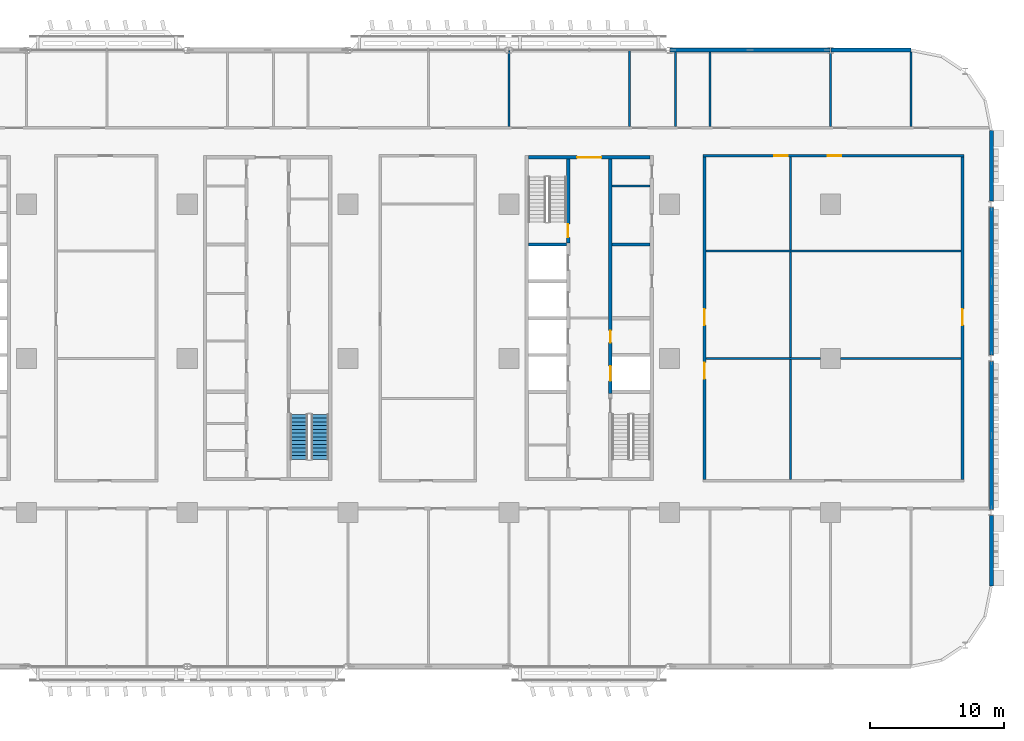
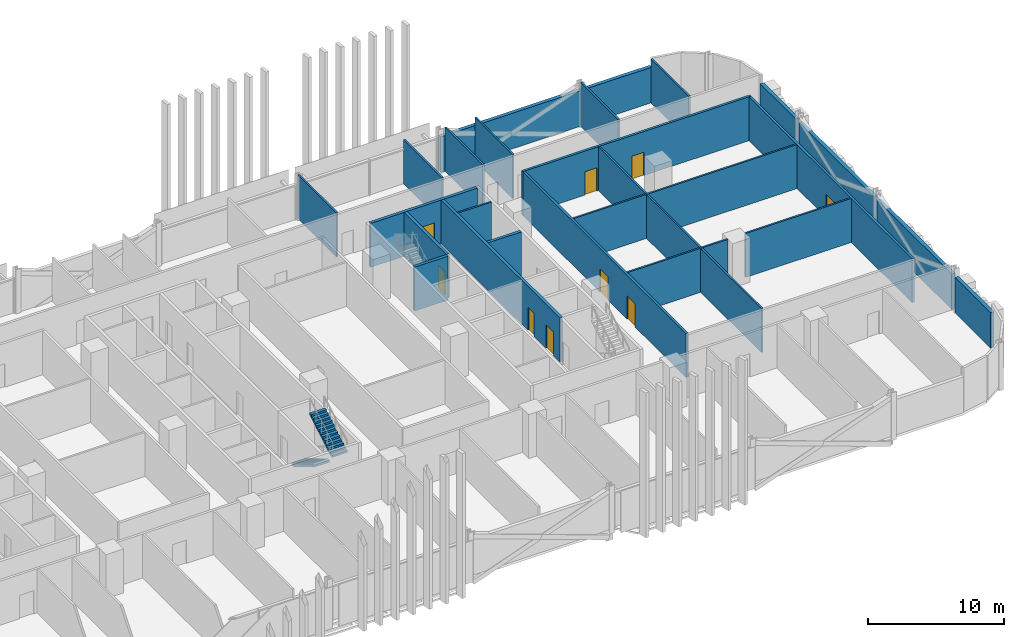
# One storey, part 15 of 29: 25 walls, 9 doors, 2 stair flights, 9 openings, 1 element without a shape of its own.
"""IFC4 building model written with IfcOpenShell, lengths in metres."""

from ifc_helpers import new_model, si_unit, direction, frame, frame_2d, origin, place, context, subcontext, project, spatial, polyline, rectangle, outline, extrude, material, layer, layer_set, type_object, element, fill, aggregate, save


model = new_model("IFC4")

# Units and contexts
model_context = context("Model", 3, precision=1e-05, world=origin(), true_north=direction((0.0, 1.0)))
body_context = subcontext(model_context, "Body", "Model", "MODEL_VIEW")
ifc_project = project(units=[si_unit("LENGTHUNIT", "METRE"), si_unit("AREAUNIT", "SQUARE_METRE"), si_unit("VOLUMEUNIT", "CUBIC_METRE"), si_unit("PLANEANGLEUNIT", "RADIAN"), si_unit("MASSUNIT", "GRAM", prefix="KILO")], contexts=[model_context])

# Site, building, storey
site_placement = place(None, origin())
site = spatial("IfcSite", under=ifc_project, at=site_placement, CompositionType="ELEMENT")
building_placement = place(site_placement, origin())
building = spatial("IfcBuilding", under=site, at=building_placement, Name="Mahtab Terrace Research Tower", CompositionType="ELEMENT")
storey_placement = place(building_placement, frame((0.0, 0.0, 46.0)))
storey = spatial("IfcBuildingStorey", under=building, at=storey_placement, Name="L10", CompositionType="ELEMENT", Elevation=46.0)

# Wall
ifc_material_1 = material(Name="Gypsum board partition")
ifc_layer_1 = layer(ifc_material_1, 0.14990234375)
ifc_layer_set_1 = layer_set([ifc_layer_1], Name="Core partition 150")
wall_type_1 = type_object("IfcWallType", Name="Core partition 150", PredefinedType="PARTITIONING", material=ifc_layer_set_1)
wall_1_placement = place(storey_placement, frame((25.699951171875, 12.875, 0.0), z_axis=(0.0, 0.0, 1.0), x_axis=(1.0, 0.0, 0.0)))
element("IfcWall", 1, at=wall_1_placement, inside=storey, type_object=wall_type_1, Name="Core wall C pEN988", PredefinedType="PARTITIONING", context=body_context, shape_type="SweptSolid", body=[
    extrude(rectangle(XDim=2.85009765625, YDim=0.14990234375, at=frame_2d((1.425048828125, 0.0))), origin(), (0.0, 0.0, 1.0), 3.9599609375),
])

# Wall, opening, door
ifc_material_2 = material(Name="Concrete C70/85", Category="concrete")
ifc_layer_2 = layer(ifc_material_2, 0.25)
ifc_layer_set_2 = layer_set([ifc_layer_2], Name="Core wall 250")
wall_type_2 = type_object("IfcWallType", Name="Core wall 250", PredefinedType="SOLIDWALL", material=ifc_layer_set_2)
wall_2_placement = place(storey_placement, frame((19.449951171875, 15.0, 0.0), z_axis=(0.0, 0.0, 1.0), x_axis=(1.0, 0.0, 0.0)))
wall_2 = element("IfcWall", 2, at=wall_2_placement, inside=storey, type_object=wall_type_2, Name="Core wall C endN", PredefinedType="SOLIDWALL", context=body_context, shape_type="SweptSolid", body=[
    extrude(rectangle(XDim=9.10009765625, YDim=0.25, at=frame_2d((4.550048828125, 0.0))), origin(), (0.0, 0.0, 1.0), 3.9599609375),
])
opening_1_placement = place(wall_2_placement, frame((3.64990234375, 0.0, 0.0)))
opening_1 = element("IfcOpeningElement", 3, at=opening_1_placement, cuts=wall_2, Name="Opening C-N1", PredefinedType="OPENING", context=body_context, shape_type="SweptSolid", body=[
    extrude(rectangle(XDim=1.800048828125, YDim=2.10009765625, at=frame_2d((0.89990234375, 1.050048828125))), frame((0.0, 0.135009765625, 0.0), z_axis=(0.0, -1.0, 0.0), x_axis=(1.0, 0.0, 0.0)), (0.0, 0.0, 1.0), 0.27001953125),
])
ifc_material_3 = material(Name="Steel fire door", Category="steel")
door_type_1 = type_object("IfcDoorType", Name="Lobby double door 1800x2100 1 HR", OperationType="DOUBLE_DOOR_SINGLE_SWING", PredefinedType="DOOR", material=ifc_material_3)
door_1_placement = place(opening_1_placement, origin())
door_1 = element("IfcDoor", 4, at=door_1_placement, inside=storey, type_object=door_type_1, Name="Core entrance door C N", OperationType="DOUBLE_DOOR_SINGLE_SWING", OverallHeight=2.10009765625, OverallWidth=1.800048828125, PredefinedType="DOOR", context=body_context, shape_type="SweptSolid", body=[
    extrude(rectangle(XDim=1.800048828125, YDim=2.10009765625, at=frame_2d((0.89990234375, 1.050048828125))), frame((0.0, 0.02490234375, 0.0), z_axis=(0.0, -1.0, 0.0), x_axis=(1.0, 0.0, 0.0)), (0.0, 0.0, 1.0), 0.050048828125),
])
fill(opening_1, door_1)

wall_3_placement = place(storey_placement, frame((22.425048828125, 14.875, 0.0), z_axis=(0.0, 0.0, 1.0), x_axis=(0.0, -1.0, 0.0)))
wall_3 = element("IfcWall", 5, at=wall_3_placement, inside=storey, type_object=wall_type_2, Name="Core wall C innerWN", PredefinedType="SOLIDWALL", context=body_context, shape_type="SweptSolid", body=[
    extrude(rectangle(XDim=6.25, YDim=0.25, at=frame_2d((3.125, 0.0))), origin(), (0.0, 0.0, 1.0), 3.9599609375),
])
opening_2_placement = place(wall_3_placement, frame((4.85009765625, 0.0, 0.0)))
opening_2 = element("IfcOpeningElement", 6, at=opening_2_placement, cuts=wall_3, Name="Opening C-ST3", PredefinedType="OPENING", context=body_context, shape_type="SweptSolid", body=[
    extrude(rectangle(XDim=1.0, YDim=2.10009765625, at=frame_2d((0.5, 1.050048828125))), frame((0.0, 0.135009765625, 0.0), z_axis=(0.0, -1.0, 0.0), x_axis=(1.0, 0.0, 0.0)), (0.0, 0.0, 1.0), 0.27001953125),
])
door_type_2 = type_object("IfcDoorType", Name="Stair door 1000x2100 1.5 HR", OperationType="NOTDEFINED", PredefinedType="DOOR", material=ifc_material_3)
door_2_placement = place(opening_2_placement, origin())
door_2 = element("IfcDoor", 7, at=door_2_placement, inside=storey, type_object=door_type_2, Name="Stair door ST3 L10", OperationType="SINGLE_SWING_LEFT", OverallHeight=2.10009765625, OverallWidth=1.0, PredefinedType="DOOR", context=body_context, shape_type="SweptSolid", body=[
    extrude(rectangle(XDim=1.0, YDim=2.10009765625, at=frame_2d((0.5, 1.050048828125))), frame((0.0, 0.02490234375, 0.0), z_axis=(0.0, -1.0, 0.0), x_axis=(1.0, 0.0, 0.0)), (0.0, 0.0, 1.0), 0.050048828125),
])
fill(opening_2, door_2)

# Wall, openings, doors
wall_4_placement = place(storey_placement, frame((25.574951171875, 14.875, 0.0), z_axis=(0.0, 0.0, 1.0), x_axis=(0.0, -1.0, 0.0)))
wall_4 = element("IfcWall", 8, at=wall_4_placement, inside=storey, type_object=wall_type_2, Name="Core wall C innerELN", PredefinedType="SOLIDWALL", context=body_context, shape_type="SweptSolid", body=[
    extrude(rectangle(XDim=17.5, YDim=0.25, at=frame_2d((8.75, 0.0))), origin(), (0.0, 0.0, 1.0), 3.9599609375),
])
opening_3_placement = place(wall_4_placement, frame((15.449951171875, 0.0, 0.0)))
opening_3 = element("IfcOpeningElement", 9, at=opening_3_placement, cuts=wall_4, Name="Opening LD21-L10", PredefinedType="OPENING", context=body_context, shape_type="SweptSolid", body=[
    extrude(rectangle(XDim=1.10009765625, YDim=2.10009765625, at=frame_2d((0.550048828125, 1.050048828125))), frame((0.0, 0.135009765625, 0.0), z_axis=(0.0, -1.0, 0.0), x_axis=(1.0, 0.0, 0.0)), (0.0, 0.0, 1.0), 0.27001953125),
])
opening_4_placement = place(wall_4_placement, frame((12.800048828125, 0.0, 0.0)))
opening_4 = element("IfcOpeningElement", 10, at=opening_4_placement, cuts=wall_4, Name="Opening C-R1", PredefinedType="OPENING", context=body_context, shape_type="SweptSolid", body=[
    extrude(rectangle(XDim=0.89990234375, YDim=2.10009765625, at=frame_2d((0.449951171875, 1.050048828125))), frame((0.0, 0.135009765625, 0.0), z_axis=(0.0, -1.0, 0.0), x_axis=(1.0, 0.0, 0.0)), (0.0, 0.0, 1.0), 0.27001953125),
])
ifc_material_4 = material(Name="Stainless steel AISI 304", Category="steel")
door_type_3 = type_object("IfcDoorType", Name="Landing door 1100x2100", OperationType="DOUBLE_DOOR_SLIDING", PredefinedType="DOOR", material=ifc_material_4)
door_3_placement = place(opening_3_placement, origin())
door_3 = element("IfcDoor", 11, at=door_3_placement, inside=storey, type_object=door_type_3, Name="Landing door SV3 L10", OperationType="DOUBLE_DOOR_SLIDING", OverallHeight=2.10009765625, OverallWidth=1.10009765625, PredefinedType="DOOR", context=body_context, shape_type="SweptSolid", body=[
    extrude(rectangle(XDim=1.10009765625, YDim=2.10009765625, at=frame_2d((0.550048828125, 1.050048828125))), frame((0.0, 0.02490234375, 0.0), z_axis=(0.0, -1.0, 0.0), x_axis=(1.0, 0.0, 0.0)), (0.0, 0.0, 1.0), 0.050048828125),
])
fill(opening_3, door_3)
door_type_4 = type_object("IfcDoorType", Name="Room door 900x2100 1 HR", OperationType="NOTDEFINED", PredefinedType="DOOR", material=ifc_material_3)
door_4_placement = place(opening_4_placement, origin())
door_4 = element("IfcDoor", 12, at=door_4_placement, inside=storey, type_object=door_type_4, Name="Plant room door", OperationType="SINGLE_SWING_LEFT", OverallHeight=2.10009765625, OverallWidth=0.89990234375, PredefinedType="DOOR", context=body_context, shape_type="SweptSolid", body=[
    extrude(rectangle(XDim=0.89990234375, YDim=2.10009765625, at=frame_2d((0.449951171875, 1.050048828125))), frame((0.0, 0.02490234375, 0.0), z_axis=(0.0, -1.0, 0.0), x_axis=(1.0, 0.0, 0.0)), (0.0, 0.0, 1.0), 0.050048828125),
])
fill(opening_4, door_4)

# Walls
for number, where, z_axis, x_axis, name in (
    (13, (19.449951171875, 8.5, 0.0), (0.0, 0.0, 1.0), (1.0, 0.0, 0.0), "Core wall C divW4"),
    (14, (25.699951171875, 8.5, 0.0), (0.0, 0.0, 1.0), (1.0, 0.0, 0.0), "Core wall C divE4"),
):
    element("IfcWall", number, at=place(storey_placement, frame(where, z_axis=z_axis, x_axis=x_axis)), inside=storey, type_object=wall_type_2, Name=name, PredefinedType="SOLIDWALL", context=body_context, shape_type="SweptSolid", body=[
        extrude(rectangle(XDim=2.85009765625, YDim=0.25, at=frame_2d((1.425048828125, 0.0))), origin(), (0.0, 0.0, 1.0), 3.9599609375),
    ])
ifc_material_5 = material(Name="Black aluminium cladding panel", Category="aluminium")
ifc_layer_3 = layer(ifc_material_5, 0.300048828125)
ifc_layer_set_3 = layer_set([ifc_layer_3], Name="Opaque facade wall 300")
wall_type_3 = type_object("IfcWallType", Name="Opaque facade wall 300", PredefinedType="NOTDEFINED", material=ifc_layer_set_3)
wall_5_placement = place(storey_placement, frame((48.0, 23.0, 0.0), z_axis=(0.0, 0.0, 1.0), x_axis=(-1.0, 0.0, 0.0)))
element("IfcWall", 15, at=wall_5_placement, inside=storey, type_object=wall_type_3, Name="Opaque facade wall L10 N3", PredefinedType="NOTDEFINED", context=body_context, shape_type="SweptSolid", body=[
    extrude(rectangle(XDim=5.97607421875, YDim=0.300048828125, at=frame_2d((2.988037109375, 0.0))), origin(), (0.0, 0.0, 1.0), 3.203125),
])
wall_6_placement = place(storey_placement, frame((41.97607421875, 23.0, 0.0), z_axis=(0.0, 0.0, 1.0), x_axis=(-1.0, 0.0, 0.0)))
element("IfcWall", 16, at=wall_6_placement, inside=storey, type_object=wall_type_3, Name="Opaque facade wall L10 N4", PredefinedType="NOTDEFINED", context=body_context, shape_type="SweptSolid", body=[
    extrude(rectangle(XDim=11.9521484375, YDim=0.300048828125, at=frame_2d((5.97607421875, 0.0))), origin(), (0.0, 0.0, 1.0), 3.203125),
])
wall_7_placement = place(storey_placement, frame((54.0, -17.0, 0.0), z_axis=(0.0, 0.0, 1.0), x_axis=(0.0, 1.0, 0.0)))
element("IfcWall", 17, at=wall_7_placement, inside=storey, type_object=wall_type_3, Name="Opaque facade wall L10 E35", PredefinedType="NOTDEFINED", context=body_context, shape_type="SweptSolid", body=[
    extrude(rectangle(XDim=5.261962890625, YDim=0.300048828125, at=frame_2d((2.630859375, 0.0))), origin(), (0.0, 0.0, 1.0), 3.203125),
])
for number, where, z_axis, x_axis, name in (
    (18, (54.0, -11.261962890625, 0.0), (0.0, 0.0, 1.0), (0.0, 1.0, 0.0), "Opaque facade wall L10 E36"),
    (19, (54.0, 0.238037109375, 0.0), (0.0, 0.0, 1.0), (0.0, 1.0, 0.0), "Opaque facade wall L10 E37"),
):
    element("IfcWall", number, at=place(storey_placement, frame(where, z_axis=z_axis, x_axis=x_axis)), inside=storey, type_object=wall_type_3, Name=name, PredefinedType="NOTDEFINED", context=body_context, shape_type="SweptSolid", body=[
        extrude(rectangle(XDim=11.02392578125, YDim=0.300048828125, at=frame_2d((5.511962890625, 0.0))), origin(), (0.0, 0.0, 1.0), 3.203125),
    ])
wall_8_placement = place(storey_placement, frame((54.0, 11.738037109375, 0.0), z_axis=(0.0, 0.0, 1.0), x_axis=(0.0, 1.0, 0.0)))
element("IfcWall", 20, at=wall_8_placement, inside=storey, type_object=wall_type_3, Name="Opaque facade wall L10 E38", PredefinedType="NOTDEFINED", context=body_context, shape_type="SweptSolid", body=[
    extrude(rectangle(XDim=5.261962890625, YDim=0.300048828125, at=frame_2d((2.630859375, 0.0))), origin(), (0.0, 0.0, 1.0), 3.203125),
])

# Wall, openings, doors
ifc_material_6 = material(Name="Gypsum board corridor wall on steel studs", Category="steel")
ifc_layer_4 = layer(ifc_material_6, 0.199951171875)
ifc_layer_set_4 = layer_set([ifc_layer_4], Name="WALL CORRIDOR 200")
wall_type_4 = type_object("IfcWallType", Name="WALL CORRIDOR 200", PredefinedType="PARTITIONING", material=ifc_layer_set_4)
wall_9_placement = place(storey_placement, frame((32.5, 15.125, 0.0), z_axis=(0.0, 0.0, 1.0), x_axis=(1.0, 0.0, 0.0)))
wall_9 = element("IfcWall", 21, at=wall_9_placement, inside=storey, type_object=wall_type_4, Name="L10-W025", PredefinedType="PARTITIONING", context=body_context, shape_type="SweptSolid", body=[
    extrude(rectangle(XDim=19.449951171875, YDim=0.199951171875, at=frame_2d((9.72509765625, 0.0))), origin(), (0.0, 0.0, 1.0), 3.9599609375),
])
opening_5_placement = place(wall_9_placement, frame((5.300048828125, 0.0, 0.0)))
opening_5 = element("IfcOpeningElement", 22, at=opening_5_placement, cuts=wall_9, Name="Opening L10-130", PredefinedType="OPENING", context=body_context, shape_type="SweptSolid", body=[
    extrude(rectangle(XDim=1.0, YDim=2.10009765625, at=frame_2d((0.5, 1.050048828125))), frame((0.0, 0.10986328125, 0.0), z_axis=(0.0, -1.0, 0.0), x_axis=(1.0, 0.0, 0.0)), (0.0, 0.0, 1.0), 0.219970703125),
])
opening_6_placement = place(wall_9_placement, frame((9.300048828125, 0.0, 0.0)))
opening_6 = element("IfcOpeningElement", 23, at=opening_6_placement, cuts=wall_9, Name="Opening L10-131", PredefinedType="OPENING", context=body_context, shape_type="SweptSolid", body=[
    extrude(rectangle(XDim=1.0, YDim=2.10009765625, at=frame_2d((0.5, 1.050048828125))), frame((0.0, 0.10986328125, 0.0), z_axis=(0.0, -1.0, 0.0), x_axis=(1.0, 0.0, 0.0)), (0.0, 0.0, 1.0), 0.219970703125),
])
ifc_material_7 = material(Name="Timber door leaf in steel frame", Category="steel")
door_type_5 = type_object("IfcDoorType", Name="DOOR 1000X2100 FD30S", OperationType="SINGLE_SWING_LEFT", PredefinedType="DOOR", material=ifc_material_7)
door_5_placement = place(opening_5_placement, origin())
door_5 = element("IfcDoor", 24, at=door_5_placement, inside=storey, type_object=door_type_5, Name="Door L10-130", OperationType="SINGLE_SWING_RIGHT", OverallHeight=2.10009765625, OverallWidth=1.0, PredefinedType="DOOR", context=body_context, shape_type="SweptSolid", body=[
    extrude(rectangle(XDim=1.0, YDim=2.10009765625, at=frame_2d((0.5, 1.050048828125))), frame((0.0, 0.02490234375, 0.0), z_axis=(0.0, -1.0, 0.0), x_axis=(1.0, 0.0, 0.0)), (0.0, 0.0, 1.0), 0.050048828125),
])
fill(opening_5, door_5)
door_6_placement = place(opening_6_placement, origin())
door_6 = element("IfcDoor", 25, at=door_6_placement, inside=storey, type_object=door_type_5, Name="Door L10-131", OperationType="SINGLE_SWING_LEFT", OverallHeight=2.10009765625, OverallWidth=1.0, PredefinedType="DOOR", context=body_context, shape_type="SweptSolid", body=[
    extrude(rectangle(XDim=1.0, YDim=2.10009765625, at=frame_2d((0.5, 1.050048828125))), frame((0.0, 0.02490234375, 0.0), z_axis=(0.0, -1.0, 0.0), x_axis=(1.0, 0.0, 0.0)), (0.0, 0.0, 1.0), 0.050048828125),
])
fill(opening_6, door_6)

wall_10_placement = place(storey_placement, frame((32.60009765625, -9.02490234375, 0.0), z_axis=(0.0, 0.0, 1.0), x_axis=(0.0, 1.0, 0.0)))
wall_10 = element("IfcWall", 26, at=wall_10_placement, inside=storey, type_object=wall_type_4, Name="L10-W058", PredefinedType="PARTITIONING", context=body_context, shape_type="SweptSolid", body=[
    extrude(rectangle(XDim=24.0498046875, YDim=0.199951171875, at=frame_2d((12.02490234375, 0.0))), origin(), (0.0, 0.0, 1.0), 3.9599609375),
])
opening_7_placement = place(wall_10_placement, frame((7.5, 0.0, 0.0)))
opening_7 = element("IfcOpeningElement", 27, at=opening_7_placement, cuts=wall_10, Name="Opening L10-122", PredefinedType="OPENING", context=body_context, shape_type="SweptSolid", body=[
    extrude(rectangle(XDim=1.199951171875, YDim=2.10009765625, at=frame_2d((0.60009765625, 1.050048828125))), frame((0.0, 0.10986328125, 0.0), z_axis=(0.0, -1.0, 0.0), x_axis=(1.0, 0.0, 0.0)), (0.0, 0.0, 1.0), 0.219970703125),
])
opening_8_placement = place(wall_10_placement, frame((11.5, 0.0, 0.0)))
opening_8 = element("IfcOpeningElement", 28, at=opening_8_placement, cuts=wall_10, Name="Opening L10-127", PredefinedType="OPENING", context=body_context, shape_type="SweptSolid", body=[
    extrude(rectangle(XDim=1.199951171875, YDim=2.10009765625, at=frame_2d((0.60009765625, 1.050048828125))), frame((0.0, 0.10986328125, 0.0), z_axis=(0.0, -1.0, 0.0), x_axis=(1.0, 0.0, 0.0)), (0.0, 0.0, 1.0), 0.219970703125),
])
door_type_6 = type_object("IfcDoorType", Name="DOOR 1200X2100 FD30S", OperationType="SINGLE_SWING_LEFT", PredefinedType="DOOR", material=ifc_material_7)
door_7_placement = place(opening_7_placement, origin())
door_7 = element("IfcDoor", 29, at=door_7_placement, inside=storey, type_object=door_type_6, Name="Door L10-122", OperationType="SINGLE_SWING_RIGHT", OverallHeight=2.10009765625, OverallWidth=1.199951171875, PredefinedType="DOOR", context=body_context, shape_type="SweptSolid", body=[
    extrude(rectangle(XDim=1.199951171875, YDim=2.10009765625, at=frame_2d((0.60009765625, 1.050048828125))), frame((0.0, 0.02490234375, 0.0), z_axis=(0.0, -1.0, 0.0), x_axis=(1.0, 0.0, 0.0)), (0.0, 0.0, 1.0), 0.050048828125),
])
fill(opening_7, door_7)
door_8_placement = place(opening_8_placement, origin())
door_8 = element("IfcDoor", 30, at=door_8_placement, inside=storey, type_object=door_type_6, Name="Door L10-127", OperationType="SINGLE_SWING_LEFT", OverallHeight=2.10009765625, OverallWidth=1.199951171875, PredefinedType="DOOR", context=body_context, shape_type="SweptSolid", body=[
    extrude(rectangle(XDim=1.199951171875, YDim=2.10009765625, at=frame_2d((0.60009765625, 1.050048828125))), frame((0.0, 0.02490234375, 0.0), z_axis=(0.0, -1.0, 0.0), x_axis=(1.0, 0.0, 0.0)), (0.0, 0.0, 1.0), 0.050048828125),
])
fill(opening_8, door_8)

# Wall, opening, door
wall_11_placement = place(storey_placement, frame((51.85009765625, -9.02490234375, 0.0), z_axis=(0.0, 0.0, 1.0), x_axis=(0.0, 1.0, 0.0)))
wall_11 = element("IfcWall", 31, at=wall_11_placement, inside=storey, type_object=wall_type_4, Name="L10-W067", PredefinedType="PARTITIONING", context=body_context, shape_type="SweptSolid", body=[
    extrude(rectangle(XDim=24.0498046875, YDim=0.199951171875, at=frame_2d((12.02490234375, 0.0))), origin(), (0.0, 0.0, 1.0), 3.9599609375),
])
opening_9_placement = place(wall_11_placement, frame((11.5, 0.0, 0.0)))
opening_9 = element("IfcOpeningElement", 32, at=opening_9_placement, cuts=wall_11, Name="Opening L10-128", PredefinedType="OPENING", context=body_context, shape_type="SweptSolid", body=[
    extrude(rectangle(XDim=1.199951171875, YDim=2.10009765625, at=frame_2d((0.60009765625, 1.050048828125))), frame((0.0, 0.10986328125, 0.0), z_axis=(0.0, -1.0, 0.0), x_axis=(1.0, 0.0, 0.0)), (0.0, 0.0, 1.0), 0.219970703125),
])
door_9_placement = place(opening_9_placement, origin())
door_9 = element("IfcDoor", 33, at=door_9_placement, inside=storey, type_object=door_type_6, Name="Door L10-128", OperationType="SINGLE_SWING_RIGHT", OverallHeight=2.10009765625, OverallWidth=1.199951171875, PredefinedType="DOOR", context=body_context, shape_type="SweptSolid", body=[
    extrude(rectangle(XDim=1.199951171875, YDim=2.10009765625, at=frame_2d((0.60009765625, 1.050048828125))), frame((0.0, 0.02490234375, 0.0), z_axis=(0.0, -1.0, 0.0), x_axis=(1.0, 0.0, 0.0)), (0.0, 0.0, 1.0), 0.050048828125),
])
fill(opening_9, door_9)

# Walls
ifc_material_8 = material(Name="Gypsum board partition on steel studs", Category="steel")
ifc_layer_5 = layer(ifc_material_8, 0.14990234375)
ifc_layer_set_5 = layer_set([ifc_layer_5], Name="WALL PARTITION 150")
wall_type_5 = type_object("IfcWallType", Name="WALL PARTITION 150", PredefinedType="PARTITIONING", material=ifc_layer_set_5)
wall_12_placement = place(storey_placement, frame((32.699951171875, 0.0, 0.0), z_axis=(0.0, 0.0, 1.0), x_axis=(1.0, 0.0, 0.0)))
element("IfcWall", 34, at=wall_12_placement, inside=storey, type_object=wall_type_5, Name="L10-W016", PredefinedType="PARTITIONING", context=body_context, shape_type="SweptSolid", body=[
    extrude(rectangle(XDim=8.550048828125, YDim=0.14990234375, at=frame_2d((4.27490234375, 0.0))), origin(), (0.0, 0.0, 1.0), 3.9599609375),
])
wall_13_placement = place(storey_placement, frame((42.75, 0.0, 0.0), z_axis=(0.0, 0.0, 1.0), x_axis=(1.0, 0.0, 0.0)))
element("IfcWall", 35, at=wall_13_placement, inside=storey, type_object=wall_type_5, Name="L10-W017", PredefinedType="PARTITIONING", context=body_context, shape_type="SweptSolid", body=[
    extrude(rectangle(XDim=9.0, YDim=0.14990234375, at=frame_2d((4.5, 0.0))), origin(), (0.0, 0.0, 1.0), 3.9599609375),
])
wall_14_placement = place(storey_placement, frame((32.699951171875, 8.0, 0.0), z_axis=(0.0, 0.0, 1.0), x_axis=(1.0, 0.0, 0.0)))
element("IfcWall", 36, at=wall_14_placement, inside=storey, type_object=wall_type_5, Name="L10-W019", PredefinedType="PARTITIONING", context=body_context, shape_type="SweptSolid", body=[
    extrude(rectangle(XDim=19.050048828125, YDim=0.14990234375, at=frame_2d((9.52490234375, 0.0))), origin(), (0.0, 0.0, 1.0), 3.9599609375),
])
for number, where, z_axis, x_axis, name in (
    (37, (18.0, 17.300048828125, 0.0), (0.0, 0.0, 1.0), (0.0, 1.0, 0.0), "L10-W053"),
    (38, (27.0, 17.300048828125, 0.0), (0.0, 0.0, 1.0), (0.0, 1.0, 0.0), "L10-W056"),
):
    element("IfcWall", number, at=place(storey_placement, frame(where, z_axis=z_axis, x_axis=x_axis)), inside=storey, type_object=wall_type_5, Name=name, PredefinedType="PARTITIONING", context=body_context, shape_type="SweptSolid", body=[
        extrude(rectangle(XDim=5.675048828125, YDim=0.14990234375, at=frame_2d((2.83740234375, 0.0))), origin(), (0.0, 0.0, 1.0), 3.9599609375),
    ])
for number, where, z_axis, x_axis, name in (
    (39, (30.449951171875, 17.300048828125, 0.0), (0.0, 0.0, 1.0), (0.0, 1.0, 0.0), "L10-W057"),
    (40, (33.0, 17.300048828125, 0.0), (0.0, 0.0, 1.0), (0.0, 1.0, 0.0), "L10-W060"),
):
    element("IfcWall", number, at=place(storey_placement, frame(where, z_axis=z_axis, x_axis=x_axis)), inside=storey, type_object=wall_type_5, Name=name, PredefinedType="PARTITIONING", context=body_context, shape_type="SweptSolid", body=[
        extrude(rectangle(XDim=5.550048828125, YDim=0.14990234375, at=frame_2d((2.77490234375, 0.0))), origin(), (0.0, 0.0, 1.0), 3.9599609375),
    ])
wall_15_placement = place(storey_placement, frame((39.0, -9.02490234375, 0.0), z_axis=(0.0, 0.0, 1.0), x_axis=(0.0, 1.0, 0.0)))
element("IfcWall", 41, at=wall_15_placement, inside=storey, type_object=wall_type_5, Name="L10-W062", PredefinedType="PARTITIONING", context=body_context, shape_type="SweptSolid", body=[
    extrude(rectangle(XDim=24.0498046875, YDim=0.14990234375, at=frame_2d((12.02490234375, 0.0))), origin(), (0.0, 0.0, 1.0), 3.9599609375),
])
wall_16_placement = place(storey_placement, frame((42.0, 17.300048828125, 0.0), z_axis=(0.0, 0.0, 1.0), x_axis=(0.0, 1.0, 0.0)))
element("IfcWall", 42, at=wall_16_placement, inside=storey, type_object=wall_type_5, Name="L10-W064", PredefinedType="PARTITIONING", context=body_context, shape_type="SweptSolid", body=[
    extrude(rectangle(XDim=5.550048828125, YDim=0.14990234375, at=frame_2d((2.77490234375, 0.0))), origin(), (0.0, 0.0, 1.0), 3.9599609375),
])
wall_17_placement = place(storey_placement, frame((48.0, 17.300048828125, 0.0), z_axis=(0.0, 0.0, 1.0), x_axis=(0.0, 1.0, 0.0)))
element("IfcWall", 43, at=wall_17_placement, inside=storey, type_object=wall_type_5, Name="L10-W066", PredefinedType="PARTITIONING", context=body_context, shape_type="SweptSolid", body=[
    extrude(rectangle(XDim=5.547119140625, YDim=0.14990234375, at=frame_2d((2.7734375, 0.0))), origin(), (0.0, 0.0, 1.0), 3.9599609375),
])

# Stair, stair flights
ifc_material_9 = material(Name="Exit stair half-turn")
stair_type = type_object("IfcStairType", Name="Exit stair half-turn", PredefinedType="HALF_TURN_STAIR", material=ifc_material_9)
stair_placement = place(storey_placement, origin())
stair = element("IfcStair", 44, at=stair_placement, inside=storey, type_object=stair_type, Name="L10 Protected exit stair ST2", PredefinedType="HALF_TURN_STAIR")
ifc_material_10 = material(Name="Concrete C40/50", Category="concrete")
stair_flight_type = type_object("IfcStairFlightType", Name="Exit stair flight 1300", PredefinedType="STRAIGHT", material=ifc_material_10)
stair_flight_1_placement = place(storey_placement, frame((2.35009765625, -4.175048828125, 0.0), z_axis=(0.0, 0.0, 1.0), x_axis=(0.0, -1.0, 0.0)))
stair_flight_1 = element("IfcStairFlight", 45, at=stair_flight_1_placement, type_object=stair_flight_type, Name="ST2 flight 1", NumberOfRisers=13, NumberOfTreads=12, PredefinedType="STRAIGHT", RiserHeight=0.165384615, TreadLength=0.28, context=body_context, shape_type="SweptSolid", body=[
    extrude(outline(polyline([(0.0, 0.0), (0.0, 0.165283203125), (0.280029296875, 0.165283203125), (0.280029296875, 0.330810546875), (0.56005859375, 0.330810546875), (0.56005859375, 0.49609375), (0.840087890625, 0.49609375), (0.840087890625, 0.66162109375), (1.1201171875, 0.66162109375), (1.1201171875, 0.826904296875), (1.39990234375, 0.826904296875), (1.39990234375, 0.9921875), (1.679931640625, 0.9921875), (1.679931640625, 1.15771484375), (1.9599609375, 1.15771484375), (1.9599609375, 1.322998046875), (2.239990234375, 1.322998046875), (2.239990234375, 1.488525390625), (2.52001953125, 1.488525390625), (2.52001953125, 1.65380859375), (2.800048828125, 1.65380859375), (2.800048828125, 1.8193359375), (3.080078125, 1.8193359375), (3.080078125, 1.984619140625), (3.360107421875, 1.984619140625), (3.360107421875, 2.14990234375), (3.360107421875, 1.810546875), (0.294677734375, 0.0), (0.0, 0.0)])), frame((0.0, 0.64990234375, 0.0), z_axis=(0.0, -1.0, 0.0), x_axis=(1.0, 0.0, 0.0)), (0.0, 0.0, 1.0), 1.300048828125),
])
stair_flight_2_placement = place(storey_placement, frame((3.89990234375, -7.534912109375, 2.14990234375), z_axis=(0.0, 0.0, 1.0), x_axis=(0.0, 1.0, 0.0)))
stair_flight_2 = element("IfcStairFlight", 46, at=stair_flight_2_placement, type_object=stair_flight_type, Name="ST2 flight 2", NumberOfRisers=13, NumberOfTreads=12, PredefinedType="STRAIGHT", RiserHeight=0.165384615, TreadLength=0.28, context=body_context, shape_type="SweptSolid", body=[
    extrude(outline(polyline([(0.0, 0.0), (0.0, 0.165283203125), (0.280029296875, 0.165283203125), (0.280029296875, 0.330810546875), (0.56005859375, 0.330810546875), (0.56005859375, 0.49609375), (0.840087890625, 0.49609375), (0.840087890625, 0.66162109375), (1.1201171875, 0.66162109375), (1.1201171875, 0.826904296875), (1.39990234375, 0.826904296875), (1.39990234375, 0.9921875), (1.679931640625, 0.9921875), (1.679931640625, 1.15771484375), (1.9599609375, 1.15771484375), (1.9599609375, 1.322998046875), (2.239990234375, 1.322998046875), (2.239990234375, 1.488525390625), (2.52001953125, 1.488525390625), (2.52001953125, 1.65380859375), (2.800048828125, 1.65380859375), (2.800048828125, 1.8193359375), (3.080078125, 1.8193359375), (3.080078125, 1.984619140625), (3.360107421875, 1.984619140625), (3.360107421875, 2.14990234375), (3.360107421875, 1.810546875), (0.294677734375, 0.0), (0.0, 0.0)])), frame((0.0, 0.64990234375, 0.0), z_axis=(0.0, -1.0, 0.0), x_axis=(1.0, 0.0, 0.0)), (0.0, 0.0, 1.0), 1.300048828125),
])
aggregate(stair, [stair_flight_1, stair_flight_2])

save(model, "model.ifc")
